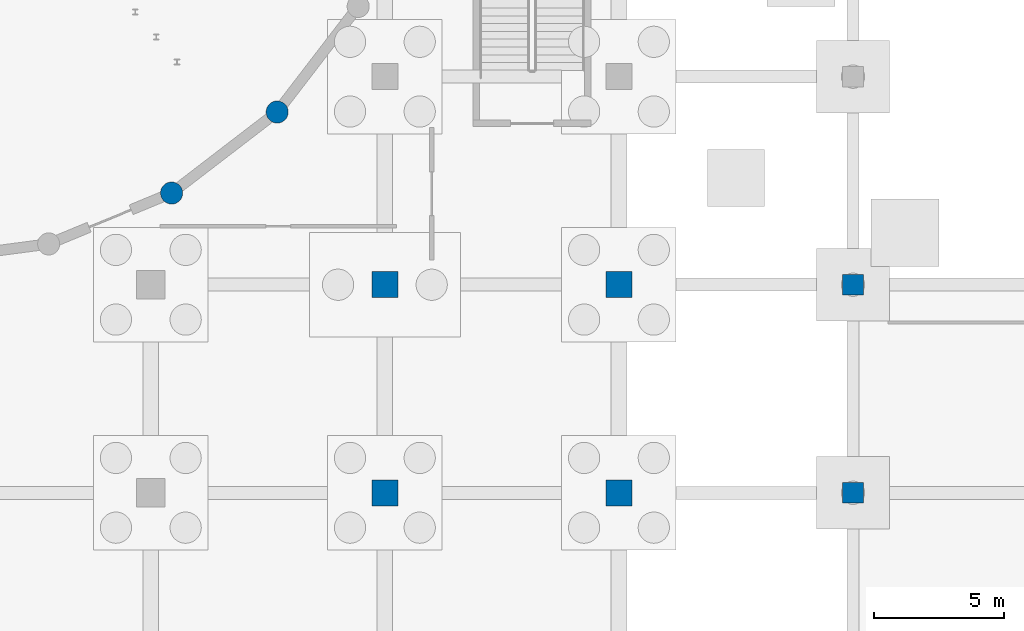
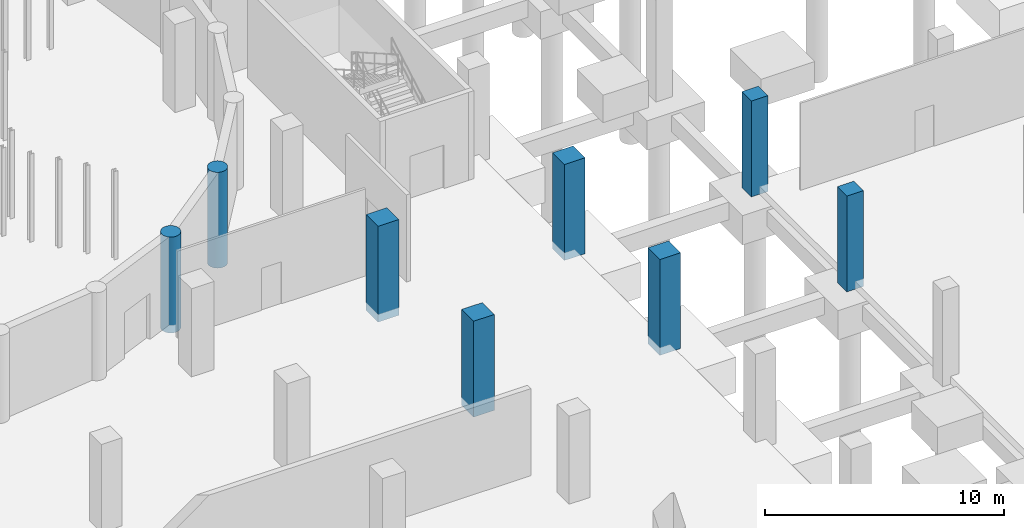
# One storey, part 19 of 40: 8 columns.
"""IFC4 building model written with IfcOpenShell, lengths in metres."""

import ifcopenshell
import ifcopenshell.guid

model = None  # the IFC model being written
_history = None  # IfcOwnerHistory: only IFC2X3 demands one
_inside = {}  # id of a spatial element -> (the spatial element, [elements in it])
_under = {}  # id of a project, library or spatial element -> (it, [spatial elements below it])
_declared = {}  # id of a project -> (the project, [libraries it declares])
_typed = {}  # id of a type object -> (the type object, [elements of that type])
_made_of = {}  # id of a material, layer set ... -> (it, [elements and type objects made of it])


def new_model(schema):
    """Start an empty IFC model of exactly this schema.

    Asked for "IFC4X3", IfcOpenShell would pick the latest addendum, in which some entities
    have other attributes; the version numbers below select the first issue.
    IFC2X3 requires an IfcOwnerHistory on every rooted entity: one is made here for all.
    """
    global model, _history
    if schema == "IFC4X3":
        model = ifcopenshell.file(schema_version=(4, 3, 0, 0))
    else:
        model = ifcopenshell.file(schema=schema)
    _inside.clear()
    _under.clear()
    _declared.clear()
    _typed.clear()
    _made_of.clear()
    _history = None
    if model.schema == "IFC2X3":
        org = make("IfcOrganization", Name="unknown")
        user = make(
            "IfcPersonAndOrganization",
            ThePerson=make("IfcPerson", FamilyName="unknown"),
            TheOrganization=org,
        )
        app = make(
            "IfcApplication",
            ApplicationDeveloper=org,
            Version="unknown",
            ApplicationFullName="unknown",
            ApplicationIdentifier="unknown",
        )
        _history = make(
            "IfcOwnerHistory",
            OwningUser=user,
            OwningApplication=app,
            ChangeAction="ADDED",
            CreationDate=0,
        )
    return model


def make(cls, **values):
    """One entity of the class cls with the attributes given. An attribute that is None is left unset."""
    return model.create_entity(
        cls, **{name: value for name, value in values.items() if value is not None}
    )


def rooted(cls, **values):
    """An entity with a GlobalId (a new one), such as an element, a storey or a relation."""
    return make(cls, GlobalId=ifcopenshell.guid.new(), OwnerHistory=_history, **values)


def si_unit(unit_type, name, prefix=None):
    """IfcSIUnit, for example si_unit("LENGTHUNIT", "METRE", prefix="MILLI")."""
    return make("IfcSIUnit", UnitType=unit_type, Prefix=prefix, Name=name)


def assignment(units):
    """IfcUnitAssignment: the units of a project."""
    return None if units is None else make("IfcUnitAssignment", Units=units)


def point(xyz):
    """IfcCartesianPoint."""
    return None if xyz is None else make("IfcCartesianPoint", Coordinates=xyz)


def direction(xyz):
    """IfcDirection."""
    return None if xyz is None else make("IfcDirection", DirectionRatios=xyz)


def frame(location, z_axis=None, x_axis=None):
    """IfcAxis2Placement3D, a coordinate frame: its origin and axes. An axis left out is left unset."""
    return make(
        "IfcAxis2Placement3D",
        Location=point(location),
        Axis=direction(z_axis),
        RefDirection=direction(x_axis),
    )


def frame_2d(location, x_axis=None):
    """IfcAxis2Placement2D, a coordinate frame in the plane: its origin and x axis."""
    return make(
        "IfcAxis2Placement2D", Location=point(location), RefDirection=direction(x_axis)
    )


def origin():
    """The frame at (0, 0, 0) with its axes left unset."""
    return frame((0.0, 0.0, 0.0))


def origin_2d():
    """The frame at (0, 0) in the plane with its x axis left unset."""
    return frame_2d((0.0, 0.0))


def place(relative_to, where):
    """IfcLocalPlacement: puts the frame where relative to a parent placement (None: the world)."""
    return make(
        "IfcLocalPlacement", PlacementRelTo=relative_to, RelativePlacement=where
    )


def context(
    kind, dimensions, precision=None, world=None, true_north=None, identifier=None
):
    """IfcGeometricRepresentationContext, for example the 3D "Model" context."""
    return make(
        "IfcGeometricRepresentationContext",
        ContextIdentifier=identifier,
        ContextType=kind,
        CoordinateSpaceDimension=dimensions,
        Precision=precision,
        WorldCoordinateSystem=world,
        TrueNorth=true_north,
    )


def subcontext(parent, identifier, kind, view, scale=None):
    """IfcGeometricRepresentationSubContext, for example "Body" below "Model"."""
    return make(
        "IfcGeometricRepresentationSubContext",
        ContextIdentifier=identifier,
        ContextType=kind,
        ParentContext=parent,
        TargetScale=scale,
        TargetView=view,
    )


def project(units=None, contexts=None):
    """IfcProject with its units and contexts."""
    return rooted(
        "IfcProject",
        Name="project",
        RepresentationContexts=contexts,
        UnitsInContext=assignment(units),
    )


def spatial(cls, under=None, at=None, **own):
    """A site, building, storey or space (cls), placed at a placement, below another one or the project."""
    s = rooted(cls, ObjectPlacement=at, **own)
    if under is not None:
        _under.setdefault(under.id(), (under, []))[1].append(s)
    return s


def profile(cls, at=None, kind="AREA", **sizes):
    """A parametric profile (cls). Its sizes go by their IFC names, for example OverallWidth=200.0."""
    return make(cls, ProfileType=kind, Position=at, **sizes)


def rectangle(**sizes):
    """IfcRectangleProfileDef."""
    return profile("IfcRectangleProfileDef", **sizes)


def circle(**sizes):
    """IfcCircleProfileDef."""
    return profile("IfcCircleProfileDef", **sizes)


def extrude(swept, where, along, depth):
    """IfcExtrudedAreaSolid: the profile swept, set in the frame where, extruded along a direction by depth."""
    return make(
        "IfcExtrudedAreaSolid",
        SweptArea=swept,
        Position=where,
        ExtrudedDirection=direction(along),
        Depth=depth,
    )


def shape(context_of_items, identifier, shape_type, items):
    """IfcShapeRepresentation: the items that make up one representation, for example the "Body"."""
    return make(
        "IfcShapeRepresentation",
        ContextOfItems=context_of_items,
        RepresentationIdentifier=identifier,
        RepresentationType=shape_type,
        Items=items,
    )


def material(Name=None, Category=None):
    """IfcMaterial."""
    return make("IfcMaterial", Name=Name, Category=Category)


def material_profile(
    of_material, cross_section, Name=None, Category=None, Priority=None
):
    """IfcMaterialProfile: a cross section and its material."""
    return make(
        "IfcMaterialProfile",
        Name=Name,
        Material=of_material,
        Profile=cross_section,
        Priority=Priority,
        Category=Category,
    )


def profile_set(profiles, Name=None, composite=None):
    """IfcMaterialProfileSet."""
    return make(
        "IfcMaterialProfileSet",
        Name=Name,
        MaterialProfiles=profiles,
        CompositeProfile=composite,
    )


def made_of(thing, what):
    """Note that an element or type object is made of a material, layer set ...; save() writes the relation."""
    if what is not None:
        _made_of.setdefault(what.id(), (what, []))[1].append(thing)
    return thing


def type_object(cls, material=None, **own):
    """A type object (cls), such as IfcWallType, which elements share."""
    return made_of(rooted(cls, **own), material)


def element(
    cls,
    number,
    at=None,
    inside=None,
    cuts=None,
    type_object=None,
    material=None,
    context=None,
    identifier="Body",
    shape_type=None,
    held_by="IfcProductDefinitionShape",
    body=None,
    shapes=None,
    **own,
):
    """One element of the class cls, such as IfcWall. Its Tag is "e" and its number.

    at: its placement. inside: the storey or other place that contains it. cuts: it is an
    opening in that element (IfcRelVoidsElement). A single representation is given by context,
    identifier, shape_type and body (its items); several are given by shapes. held_by: the class
    of the entity that holds the representations. save() writes the other relations.
    """
    e = rooted(cls, Tag="e%d" % number, ObjectPlacement=at, **own)
    if body is not None:
        shapes = [shape(context, identifier, shape_type, body)]
    if shapes is not None:
        e.Representation = make(held_by, Representations=shapes)
    if inside is not None:
        _inside.setdefault(inside.id(), (inside, []))[1].append(e)
    if cuts is not None:
        rooted(
            "IfcRelVoidsElement", RelatingBuildingElement=cuts, RelatedOpeningElement=e
        )
    if type_object is not None:
        _typed.setdefault(type_object.id(), (type_object, []))[1].append(e)
    return made_of(e, material)


def aggregate(whole, parts):
    """IfcRelAggregates: a whole, such as a stair, and the parts it consists of."""
    return rooted("IfcRelAggregates", RelatingObject=whole, RelatedObjects=parts)


def save(model, path):
    """Write the relations noted so far, then the file.

    IfcRelAggregates (storeys below a building ...), IfcRelContainedInSpatialStructure (elements
    in a storey), IfcRelDefinesByType, IfcRelAssociatesMaterial and IfcRelDeclares: one each for
    every whole, place, type object, material and project.
    """
    for whole, parts in _under.values():
        aggregate(whole, parts)
    for where, things in _inside.values():
        rooted(
            "IfcRelContainedInSpatialStructure",
            RelatedElements=things,
            RelatingStructure=where,
        )
    for kind, things in _typed.values():
        rooted("IfcRelDefinesByType", RelatedObjects=things, RelatingType=kind)
    for what, things in _made_of.values():
        rooted("IfcRelAssociatesMaterial", RelatedObjects=things, RelatingMaterial=what)
    for by, libraries in _declared.values():
        rooted("IfcRelDeclares", RelatingContext=by, RelatedDefinitions=libraries)
    model.write(path)


model = new_model("IFC4")

# Units and contexts
model_context = context("Model", 3, precision=1e-05, world=origin(), true_north=direction((0.0, 1.0)))
body_context = subcontext(model_context, "Body", "Model", "MODEL_VIEW")
ifc_project = project(units=[si_unit("LENGTHUNIT", "METRE"), si_unit("AREAUNIT", "SQUARE_METRE"), si_unit("VOLUMEUNIT", "CUBIC_METRE"), si_unit("PLANEANGLEUNIT", "RADIAN"), si_unit("MASSUNIT", "GRAM", prefix="KILO")], contexts=[model_context])

# Site, building, storey
site_placement = place(None, origin())
site = spatial("IfcSite", under=ifc_project, at=site_placement, CompositionType="ELEMENT")
building_placement = place(site_placement, origin())
building = spatial("IfcBuilding", under=site, at=building_placement, Name="Marnock Terrace Opera House", CompositionType="ELEMENT")
storey_placement = place(building_placement, frame((0.0, 0.0, -4.800048828125)))
storey = spatial("IfcBuildingStorey", under=building, at=storey_placement, Name="B1", CompositionType="ELEMENT", Elevation=-4.800048828125)

# Columns
ifc_material = material(Name="Concrete N50 (f'c = 50 MPa)", Category="concrete")
ifc_material_profile_1 = material_profile(ifc_material, circle(Radius=0.425048828125, at=origin_2d()))
ifc_profile_set_1 = profile_set([ifc_material_profile_1], Name="Concrete N50 (f'c = 50 MPa)")
column_type_1 = type_object("IfcColumnType", Name="COL-DRUM-850", PredefinedType="COLUMN", material=ifc_profile_set_1)
for number, where, z_axis, x_axis, name in (
    (1, (91.800048828125, 43.52587890625, -0.39990234375), (0.0, 0.0, 1.0), (1.0, 0.0, 0.0), "B1 auditorium drum pier 21"),
    (2, (95.85888671875, 46.64111328125, -0.39990234375), (0.0, 0.0, 1.0), (1.0, 0.0, 0.0), "B1 auditorium drum pier 22"),
):
    element("IfcColumn", number, at=place(storey_placement, frame(where, z_axis=z_axis, x_axis=x_axis)), inside=storey, type_object=column_type_1, Name=name, PredefinedType="COLUMN", context=body_context, shape_type="SweptSolid", body=[
        extrude(circle(Radius=0.425048828125, at=origin_2d()), origin(), (0.0, 0.0, 1.0), 4.89990234375),
    ])
ifc_material_profile_2 = material_profile(ifc_material, rectangle(XDim=1.0, YDim=1.0, at=origin_2d()))
ifc_profile_set_2 = profile_set([ifc_material_profile_2], Name="Concrete N50 (f'c = 50 MPa)")
column_type_2 = type_object("IfcColumnType", Name="COL-RC1000", PredefinedType="COLUMN", material=ifc_profile_set_2)
for number, where, z_axis, x_axis, name in (
    (3, (100.0, 32.0, -0.39990234375), (0.0, 0.0, 1.0), (1.0, 0.0, 0.0), "B1 column at (100.0, 32.0)"),
    (4, (100.0, 40.0, -0.39990234375), (0.0, 0.0, 1.0), (1.0, 0.0, 0.0), "B1 column at (100.0, 40.0)"),
    (5, (109.0, 32.0, -0.39990234375), (0.0, 0.0, 1.0), (1.0, 0.0, 0.0), "B1 column at (109.0, 32.0)"),
    (6, (109.0, 40.0, -0.39990234375), (0.0, 0.0, 1.0), (1.0, 0.0, 0.0), "B1 column at (109.0, 40.0)"),
):
    element("IfcColumn", number, at=place(storey_placement, frame(where, z_axis=z_axis, x_axis=x_axis)), inside=storey, type_object=column_type_2, Name=name, PredefinedType="COLUMN", context=body_context, shape_type="SweptSolid", body=[
        extrude(rectangle(XDim=1.0, YDim=1.0, at=origin_2d()), origin(), (0.0, 0.0, 1.0), 4.89990234375),
    ])
ifc_material_profile_3 = material_profile(ifc_material, rectangle(XDim=0.800048828125, YDim=0.800048828125, at=origin_2d()))
ifc_profile_set_3 = profile_set([ifc_material_profile_3], Name="Concrete N50 (f'c = 50 MPa)")
column_type_3 = type_object("IfcColumnType", Name="COL-RC800", PredefinedType="COLUMN", material=ifc_profile_set_3)
for number, where, z_axis, x_axis, name in (
    (7, (118.0, 32.0, -0.39990234375), (0.0, 0.0, 1.0), (1.0, 0.0, 0.0), "B1 column at (118.0, 32.0)"),
    (8, (118.0, 40.0, -0.39990234375), (0.0, 0.0, 1.0), (1.0, 0.0, 0.0), "B1 column at (118.0, 40.0)"),
):
    element("IfcColumn", number, at=place(storey_placement, frame(where, z_axis=z_axis, x_axis=x_axis)), inside=storey, type_object=column_type_3, Name=name, PredefinedType="COLUMN", context=body_context, shape_type="SweptSolid", body=[
        extrude(rectangle(XDim=0.800048828125, YDim=0.800048828125, at=origin_2d()), origin(), (0.0, 0.0, 1.0), 4.89990234375),
    ])

save(model, "model.ifc")
